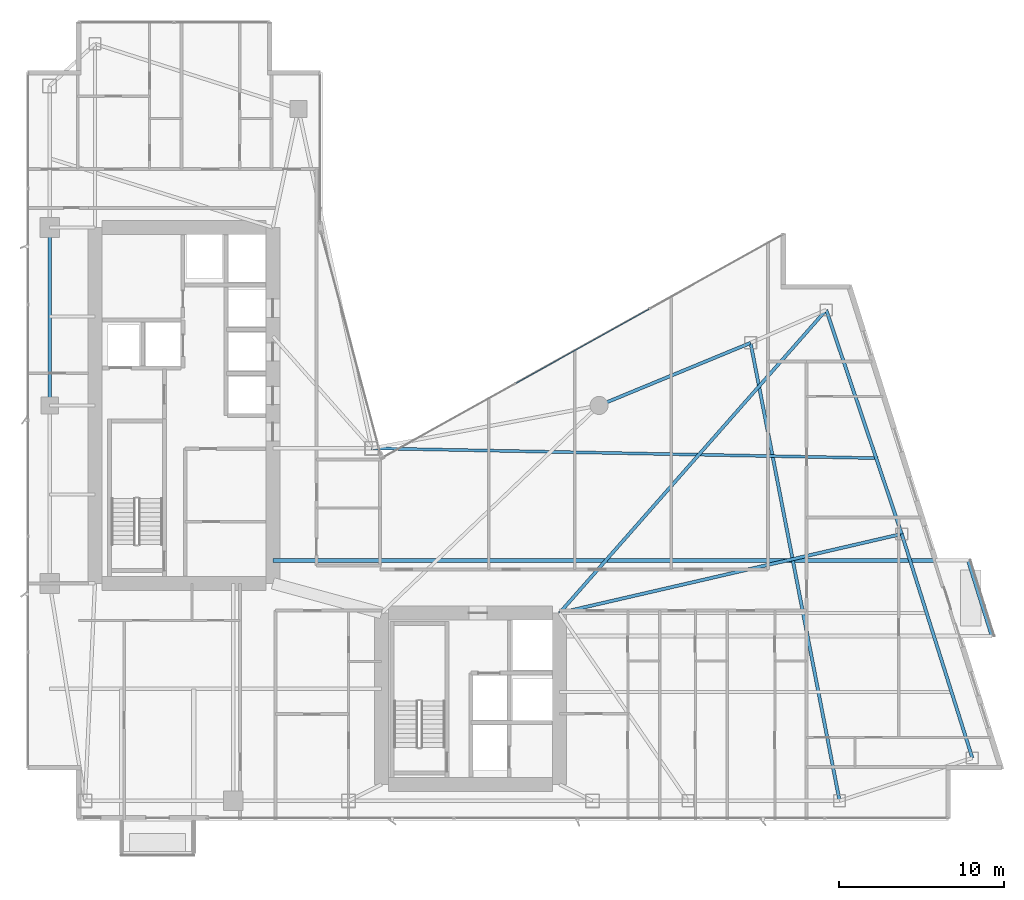
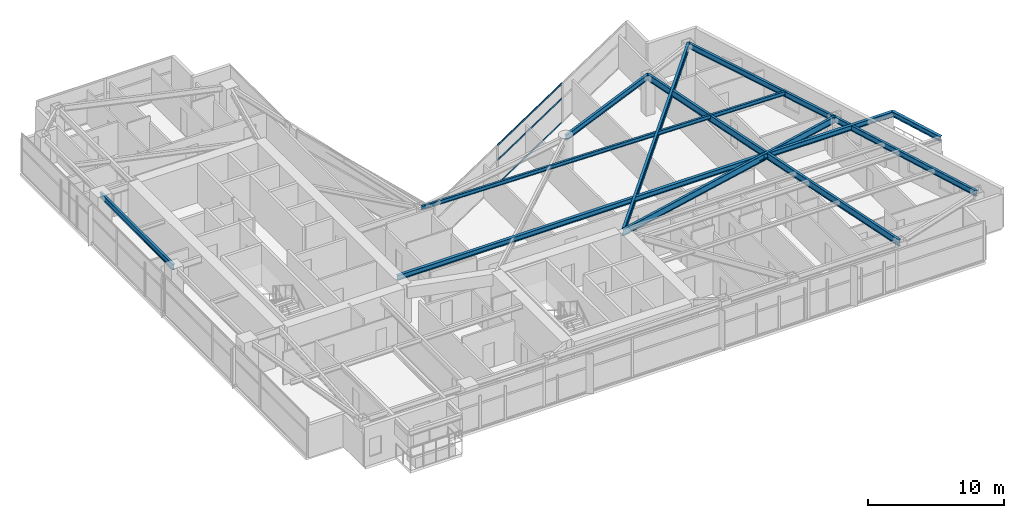
# One storey, part 15 of 29: 10 beams, 3 members, 1 element without a shape of its own.
"""IFC4 building model written with IfcOpenShell, lengths in metres."""

import ifcopenshell
import ifcopenshell.guid

model = None  # the IFC model being written
_history = None  # IfcOwnerHistory: only IFC2X3 demands one
_inside = {}  # id of a spatial element -> (the spatial element, [elements in it])
_under = {}  # id of a project, library or spatial element -> (it, [spatial elements below it])
_declared = {}  # id of a project -> (the project, [libraries it declares])
_typed = {}  # id of a type object -> (the type object, [elements of that type])
_made_of = {}  # id of a material, layer set ... -> (it, [elements and type objects made of it])


def new_model(schema):
    """Start an empty IFC model of exactly this schema.

    Asked for "IFC4X3", IfcOpenShell would pick the latest addendum, in which some entities
    have other attributes; the version numbers below select the first issue.
    IFC2X3 requires an IfcOwnerHistory on every rooted entity: one is made here for all.
    """
    global model, _history
    if schema == "IFC4X3":
        model = ifcopenshell.file(schema_version=(4, 3, 0, 0))
    else:
        model = ifcopenshell.file(schema=schema)
    _inside.clear()
    _under.clear()
    _declared.clear()
    _typed.clear()
    _made_of.clear()
    _history = None
    if model.schema == "IFC2X3":
        org = make("IfcOrganization", Name="unknown")
        user = make(
            "IfcPersonAndOrganization",
            ThePerson=make("IfcPerson", FamilyName="unknown"),
            TheOrganization=org,
        )
        app = make(
            "IfcApplication",
            ApplicationDeveloper=org,
            Version="unknown",
            ApplicationFullName="unknown",
            ApplicationIdentifier="unknown",
        )
        _history = make(
            "IfcOwnerHistory",
            OwningUser=user,
            OwningApplication=app,
            ChangeAction="ADDED",
            CreationDate=0,
        )
    return model


def make(cls, **values):
    """One entity of the class cls with the attributes given. An attribute that is None is left unset."""
    return model.create_entity(
        cls, **{name: value for name, value in values.items() if value is not None}
    )


def rooted(cls, **values):
    """An entity with a GlobalId (a new one), such as an element, a storey or a relation."""
    return make(cls, GlobalId=ifcopenshell.guid.new(), OwnerHistory=_history, **values)


def si_unit(unit_type, name, prefix=None):
    """IfcSIUnit, for example si_unit("LENGTHUNIT", "METRE", prefix="MILLI")."""
    return make("IfcSIUnit", UnitType=unit_type, Prefix=prefix, Name=name)


def assignment(units):
    """IfcUnitAssignment: the units of a project."""
    return None if units is None else make("IfcUnitAssignment", Units=units)


def point(xyz):
    """IfcCartesianPoint."""
    return None if xyz is None else make("IfcCartesianPoint", Coordinates=xyz)


def direction(xyz):
    """IfcDirection."""
    return None if xyz is None else make("IfcDirection", DirectionRatios=xyz)


def frame(location, z_axis=None, x_axis=None):
    """IfcAxis2Placement3D, a coordinate frame: its origin and axes. An axis left out is left unset."""
    return make(
        "IfcAxis2Placement3D",
        Location=point(location),
        Axis=direction(z_axis),
        RefDirection=direction(x_axis),
    )


def frame_2d(location, x_axis=None):
    """IfcAxis2Placement2D, a coordinate frame in the plane: its origin and x axis."""
    return make(
        "IfcAxis2Placement2D", Location=point(location), RefDirection=direction(x_axis)
    )


def origin():
    """The frame at (0, 0, 0) with its axes left unset."""
    return frame((0.0, 0.0, 0.0))


def origin_2d():
    """The frame at (0, 0) in the plane with its x axis left unset."""
    return frame_2d((0.0, 0.0))


def place(relative_to, where):
    """IfcLocalPlacement: puts the frame where relative to a parent placement (None: the world)."""
    return make(
        "IfcLocalPlacement", PlacementRelTo=relative_to, RelativePlacement=where
    )


def context(
    kind, dimensions, precision=None, world=None, true_north=None, identifier=None
):
    """IfcGeometricRepresentationContext, for example the 3D "Model" context."""
    return make(
        "IfcGeometricRepresentationContext",
        ContextIdentifier=identifier,
        ContextType=kind,
        CoordinateSpaceDimension=dimensions,
        Precision=precision,
        WorldCoordinateSystem=world,
        TrueNorth=true_north,
    )


def subcontext(parent, identifier, kind, view, scale=None):
    """IfcGeometricRepresentationSubContext, for example "Body" below "Model"."""
    return make(
        "IfcGeometricRepresentationSubContext",
        ContextIdentifier=identifier,
        ContextType=kind,
        ParentContext=parent,
        TargetScale=scale,
        TargetView=view,
    )


def project(units=None, contexts=None):
    """IfcProject with its units and contexts."""
    return rooted(
        "IfcProject",
        Name="project",
        RepresentationContexts=contexts,
        UnitsInContext=assignment(units),
    )


def spatial(cls, under=None, at=None, **own):
    """A site, building, storey or space (cls), placed at a placement, below another one or the project."""
    s = rooted(cls, ObjectPlacement=at, **own)
    if under is not None:
        _under.setdefault(under.id(), (under, []))[1].append(s)
    return s


def profile(cls, at=None, kind="AREA", **sizes):
    """A parametric profile (cls). Its sizes go by their IFC names, for example OverallWidth=200.0."""
    return make(cls, ProfileType=kind, Position=at, **sizes)


def hollow_rectangle(**sizes):
    """IfcRectangleHollowProfileDef."""
    return profile("IfcRectangleHollowProfileDef", **sizes)


def i_section(**sizes):
    """IfcIShapeProfileDef."""
    return profile("IfcIShapeProfileDef", **sizes)


def extrude(swept, where, along, depth):
    """IfcExtrudedAreaSolid: the profile swept, set in the frame where, extruded along a direction by depth."""
    return make(
        "IfcExtrudedAreaSolid",
        SweptArea=swept,
        Position=where,
        ExtrudedDirection=direction(along),
        Depth=depth,
    )


def shape(context_of_items, identifier, shape_type, items):
    """IfcShapeRepresentation: the items that make up one representation, for example the "Body"."""
    return make(
        "IfcShapeRepresentation",
        ContextOfItems=context_of_items,
        RepresentationIdentifier=identifier,
        RepresentationType=shape_type,
        Items=items,
    )


def material(Name=None, Category=None):
    """IfcMaterial."""
    return make("IfcMaterial", Name=Name, Category=Category)


def layer(
    of_material, thickness, ventilated=None, Name=None, Category=None, Priority=None
):
    """IfcMaterialLayer: one layer of a wall or slab, of a material (None: an air gap)."""
    return make(
        "IfcMaterialLayer",
        Material=of_material,
        LayerThickness=thickness,
        IsVentilated=ventilated,
        Name=Name,
        Category=Category,
        Priority=Priority,
    )


def layer_set(layers, Name=None):
    """IfcMaterialLayerSet."""
    return make("IfcMaterialLayerSet", MaterialLayers=layers, LayerSetName=Name)


def material_profile(
    of_material, cross_section, Name=None, Category=None, Priority=None
):
    """IfcMaterialProfile: a cross section and its material."""
    return make(
        "IfcMaterialProfile",
        Name=Name,
        Material=of_material,
        Profile=cross_section,
        Priority=Priority,
        Category=Category,
    )


def profile_set(profiles, Name=None, composite=None):
    """IfcMaterialProfileSet."""
    return make(
        "IfcMaterialProfileSet",
        Name=Name,
        MaterialProfiles=profiles,
        CompositeProfile=composite,
    )


def made_of(thing, what):
    """Note that an element or type object is made of a material, layer set ...; save() writes the relation."""
    if what is not None:
        _made_of.setdefault(what.id(), (what, []))[1].append(thing)
    return thing


def type_object(cls, material=None, **own):
    """A type object (cls), such as IfcWallType, which elements share."""
    return made_of(rooted(cls, **own), material)


def element(
    cls,
    number,
    at=None,
    inside=None,
    cuts=None,
    type_object=None,
    material=None,
    context=None,
    identifier="Body",
    shape_type=None,
    held_by="IfcProductDefinitionShape",
    body=None,
    shapes=None,
    **own,
):
    """One element of the class cls, such as IfcWall. Its Tag is "e" and its number.

    at: its placement. inside: the storey or other place that contains it. cuts: it is an
    opening in that element (IfcRelVoidsElement). A single representation is given by context,
    identifier, shape_type and body (its items); several are given by shapes. held_by: the class
    of the entity that holds the representations. save() writes the other relations.
    """
    e = rooted(cls, Tag="e%d" % number, ObjectPlacement=at, **own)
    if body is not None:
        shapes = [shape(context, identifier, shape_type, body)]
    if shapes is not None:
        e.Representation = make(held_by, Representations=shapes)
    if inside is not None:
        _inside.setdefault(inside.id(), (inside, []))[1].append(e)
    if cuts is not None:
        rooted(
            "IfcRelVoidsElement", RelatingBuildingElement=cuts, RelatedOpeningElement=e
        )
    if type_object is not None:
        _typed.setdefault(type_object.id(), (type_object, []))[1].append(e)
    return made_of(e, material)


def aggregate(whole, parts):
    """IfcRelAggregates: a whole, such as a stair, and the parts it consists of."""
    return rooted("IfcRelAggregates", RelatingObject=whole, RelatedObjects=parts)


def save(model, path):
    """Write the relations noted so far, then the file.

    IfcRelAggregates (storeys below a building ...), IfcRelContainedInSpatialStructure (elements
    in a storey), IfcRelDefinesByType, IfcRelAssociatesMaterial and IfcRelDeclares: one each for
    every whole, place, type object, material and project.
    """
    for whole, parts in _under.values():
        aggregate(whole, parts)
    for where, things in _inside.values():
        rooted(
            "IfcRelContainedInSpatialStructure",
            RelatedElements=things,
            RelatingStructure=where,
        )
    for kind, things in _typed.values():
        rooted("IfcRelDefinesByType", RelatedObjects=things, RelatingType=kind)
    for what, things in _made_of.values():
        rooted("IfcRelAssociatesMaterial", RelatedObjects=things, RelatingMaterial=what)
    for by, libraries in _declared.values():
        rooted("IfcRelDeclares", RelatingContext=by, RelatedDefinitions=libraries)
    model.write(path)


model = new_model("IFC4")

# Units and contexts
model_context = context("Model", 3, precision=1e-05, world=origin(), true_north=direction((0.0, 1.0)))
body_context = subcontext(model_context, "Body", "Model", "MODEL_VIEW")
ifc_project = project(units=[si_unit("LENGTHUNIT", "METRE"), si_unit("AREAUNIT", "SQUARE_METRE"), si_unit("VOLUMEUNIT", "CUBIC_METRE"), si_unit("PLANEANGLEUNIT", "RADIAN"), si_unit("MASSUNIT", "GRAM", prefix="KILO")], contexts=[model_context])

# Site, building, storey
site_placement = place(None, origin())
site = spatial("IfcSite", under=ifc_project, at=site_placement, CompositionType="ELEMENT")
building_placement = place(site_placement, origin())
building = spatial("IfcBuilding", under=site, at=building_placement, Name="Calvorn Quay Hotel", CompositionType="ELEMENT")
storey_placement = place(building_placement, frame((0.0, 0.0, 175.10009765625)))
storey = spatial("IfcBuildingStorey", under=building, at=storey_placement, Name="L43", CompositionType="ELEMENT", Elevation=175.10009765625)

# Beams
ifc_material_1 = material(Name="Steel Q355B", Category="steel")
ifc_material_profile_1 = material_profile(ifc_material_1, i_section(OverallWidth=0.25, OverallDepth=0.449951171875, WebThickness=0.011962890625, FlangeThickness=0.01611328125, FilletRadius=0.01611328125, at=origin_2d()), Name="HN450x250x12x16")
ifc_profile_set_1 = profile_set([ifc_material_profile_1], Name="Steel Q355B")
beam_type_1 = type_object("IfcBeamType", Name="BM-CANT-BALC", PredefinedType="BEAM", material=ifc_profile_set_1)
beam_1_placement = place(storey_placement, frame((15.0, 18.199951171875, 3.31494140625), z_axis=(1.0, 0.0, 0.0), x_axis=(0.0, 1.0, 0.0)))
element("IfcBeam", 1, at=beam_1_placement, inside=storey, type_object=beam_type_1, Name="Cantilever Balcony Beam BCB-L44-1B", PredefinedType="BEAM", context=body_context, shape_type="SweptSolid", body=[
    extrude(i_section(OverallWidth=0.25, OverallDepth=0.449951171875, WebThickness=0.011962890625, FlangeThickness=0.01611328125, FilletRadius=0.01611328125, at=origin_2d()), origin(), (0.0, 0.0, 1.0), 42.219970703125),
])
beam_2_placement = place(storey_placement, frame((58.6689453125, 13.60009765625, 3.31494140625), z_axis=(-0.300450487966, 0.953797412599, 0.0), x_axis=(-0.953797412599, -0.300450487966, 0.0)))
element("IfcBeam", 2, at=beam_2_placement, inside=storey, type_object=beam_type_1, Name="Beam BCBO-L44-1", PredefinedType="BEAM", context=body_context, shape_type="SweptSolid", body=[
    extrude(i_section(OverallWidth=0.25, OverallDepth=0.449951171875, WebThickness=0.011962890625, FlangeThickness=0.01611328125, FilletRadius=0.01611328125, at=origin_2d()), origin(), (0.0, 0.0, 1.0), 4.82275390625),
])
ifc_material_2 = material(Name="Steel Q355B", Category="steel")
ifc_material_profile_2 = material_profile(ifc_material_2, i_section(OverallWidth=0.199951171875, OverallDepth=0.60009765625, WebThickness=0.010986328125, FlangeThickness=0.01708984375, FilletRadius=0.01806640625, at=origin_2d()), Name="HN600x200x11x17")
ifc_profile_set_2 = profile_set([ifc_material_profile_2], Name="Steel Q355B")
beam_type_2 = type_object("IfcBeamType", Name="BM-GIRD-TYP", PredefinedType="BEAM", material=ifc_profile_set_2)
beam_3_placement = place(storey_placement, frame((32.39990234375, 15.0, 3.239990234375), z_axis=(0.974334045812, 0.225107012711, 0.0), x_axis=(-0.225107012711, 0.974334045812, 0.0)))
element("IfcBeam", 3, at=beam_3_placement, inside=storey, type_object=beam_type_2, Name="Beam BG-L43-E2", PredefinedType="BEAM", context=body_context, shape_type="SweptSolid", body=[
    extrude(i_section(OverallWidth=0.199951171875, OverallDepth=0.60009765625, WebThickness=0.010986328125, FlangeThickness=0.01708984375, FilletRadius=0.01806640625, at=origin_2d()), origin(), (0.0, 0.0, 1.0), 21.323486328125),
])
beam_4_placement = place(storey_placement, frame((32.39990234375, 15.0, 3.239990234375), z_axis=(0.660610604248, 0.750728732336, 0.0), x_axis=(-0.750728732336, 0.660610604248, 0.0)))
element("IfcBeam", 4, at=beam_4_placement, inside=storey, type_object=beam_type_2, Name="Beam BG-L43-E3", PredefinedType="BEAM", context=body_context, shape_type="SweptSolid", body=[
    extrude(i_section(OverallWidth=0.199951171875, OverallDepth=0.60009765625, WebThickness=0.010986328125, FlangeThickness=0.01708984375, FilletRadius=0.01806640625, at=origin_2d()), origin(), (0.0, 0.0, 1.0), 24.50927734375),
])
beam_5_placement = place(storey_placement, frame((49.39990234375, 3.60009765625, 3.239990234375), z_axis=(-0.190678596862, 0.981652521363, 0.0), x_axis=(-0.981652521363, -0.190678596862, 0.0)))
element("IfcBeam", 5, at=beam_5_placement, inside=storey, type_object=beam_type_2, Name="Beam BG-L43-E5", PredefinedType="BEAM", context=body_context, shape_type="SweptSolid", body=[
    extrude(i_section(OverallWidth=0.199951171875, OverallDepth=0.60009765625, WebThickness=0.010986328125, FlangeThickness=0.01708984375, FilletRadius=0.01806640625, at=origin_2d()), origin(), (0.0, 0.0, 1.0), 28.3193359375),
])
ifc_material_3 = material(Name="Steel Q355B", Category="steel")
ifc_material_profile_3 = material_profile(ifc_material_3, i_section(OverallWidth=0.175048828125, OverallDepth=0.35009765625, WebThickness=0.007080078125, FlangeThickness=0.010986328125, FilletRadius=0.013916015625, at=origin_2d()), Name="HN350x175x7x11")
ifc_profile_set_3 = profile_set([ifc_material_profile_3], Name="Steel Q355B")
beam_type_3 = type_object("IfcBeamType", Name="BM-JOIST-SEC", PredefinedType="JOIST", material=ifc_profile_set_3)
beam_6_placement = place(storey_placement, frame((21.0, 25.0, 3.364990234375), z_axis=(0.999809345134, -0.019526222968, 0.0), x_axis=(0.019526222968, 0.999809345134, 0.0)))
element("IfcBeam", 6, at=beam_6_placement, inside=storey, type_object=beam_type_3, Name="Beam BJ-L43-E3", PredefinedType="JOIST", context=body_context, shape_type="SweptSolid", body=[
    extrude(i_section(OverallWidth=0.175048828125, OverallDepth=0.35009765625, WebThickness=0.007080078125, FlangeThickness=0.010986328125, FilletRadius=0.013916015625, at=origin_2d()), origin(), (0.0, 0.0, 1.0), 30.73291015625),
])
ifc_material_4 = material(Name="Steel Q355B", Category="steel")
ifc_material_profile_4 = material_profile(ifc_material_4, i_section(OverallWidth=0.199951171875, OverallDepth=0.5, WebThickness=0.010009765625, FlangeThickness=0.01611328125, FilletRadius=0.01611328125, at=origin_2d()), Name="HN500x200x10x16")
ifc_profile_set_4 = profile_set([ifc_material_profile_4], Name="Steel Q355B")
beam_type_4 = type_object("IfcBeamType", Name="BM-SPANDREL-Z1", PredefinedType="SPANDREL", material=ifc_profile_set_4)
beam_7_placement = place(storey_placement, frame((1.449951171875, 27.60009765625, 3.289794921875), z_axis=(0.0, 1.0, 0.0), x_axis=(-1.0, 0.0, 0.0)))
element("IfcBeam", 7, at=beam_7_placement, inside=storey, type_object=beam_type_4, Name="Beam BSP-L43-W3", PredefinedType="SPANDREL", context=body_context, shape_type="SweptSolid", body=[
    extrude(i_section(OverallWidth=0.199951171875, OverallDepth=0.5, WebThickness=0.010009765625, FlangeThickness=0.01611328125, FilletRadius=0.01611328125, at=origin_2d()), origin(), (0.0, 0.0, 1.0), 10.7998046875),
])
beam_8_placement = place(storey_placement, frame((57.4609375, 6.199951171875, 3.289794921875), z_axis=(-0.300502802767, 0.953780931624, 0.0), x_axis=(-0.953780931624, -0.300502802767, 0.0)))
element("IfcBeam", 8, at=beam_8_placement, inside=storey, type_object=beam_type_4, Name="Beam BSP-L43-E1", PredefinedType="SPANDREL", context=body_context, shape_type="SweptSolid", body=[
    extrude(i_section(OverallWidth=0.199951171875, OverallDepth=0.5, WebThickness=0.010009765625, FlangeThickness=0.01611328125, FilletRadius=0.01611328125, at=origin_2d()), origin(), (0.0, 0.0, 1.0), 14.259033203125),
])
beam_9_placement = place(storey_placement, frame((53.176025390625, 19.800048828125, 3.289794921875), z_axis=(-0.319466515944, 0.947597564998, 0.0), x_axis=(-0.947597564998, -0.319466515944, 0.0)))
element("IfcBeam", 9, at=beam_9_placement, inside=storey, type_object=beam_type_4, Name="Beam BSP-L43-E2", PredefinedType="SPANDREL", context=body_context, shape_type="SweptSolid", body=[
    extrude(i_section(OverallWidth=0.199951171875, OverallDepth=0.5, WebThickness=0.010009765625, FlangeThickness=0.01611328125, FilletRadius=0.01611328125, at=origin_2d()), origin(), (0.0, 0.0, 1.0), 14.35205078125),
])
beam_10_placement = place(storey_placement, frame((44.0, 31.39990234375, 3.289794921875), z_axis=(-0.92426763497, -0.381745123017, 0.0), x_axis=(0.381745123017, -0.92426763497, 0.0)))
element("IfcBeam", 10, at=beam_10_placement, inside=storey, type_object=beam_type_4, Name="Beam BSP-L43-E4", PredefinedType="SPANDREL", context=body_context, shape_type="SweptSolid", body=[
    extrude(i_section(OverallWidth=0.199951171875, OverallDepth=0.5, WebThickness=0.010009765625, FlangeThickness=0.01611328125, FilletRadius=0.01611328125, at=origin_2d()), origin(), (0.0, 0.0, 1.0), 9.953857421875),
])

# Curtain wall, members
ifc_material_5 = material(Name="Pale Anodised Aluminium and Low-E Glass", Category="aluminium")
ifc_layer = layer(ifc_material_5, 0.219970703125)
ifc_layer_set = layer_set([ifc_layer], Name="CW-SYS-Z2")
curtain_wall_type = type_object("IfcCurtainWallType", Name="CW-SYS-Z2", PredefinedType="NOTDEFINED", material=ifc_layer_set)
curtain_wall_placement = place(storey_placement, origin())
curtain_wall = element("IfcCurtainWall", 11, at=curtain_wall_placement, inside=storey, type_object=curtain_wall_type, Name="Inner Court Curtain Wall L43-NE1", PredefinedType="NOTDEFINED")
ifc_material_6 = material(Name="Pale Anodised Aluminium 6063-T6", Category="aluminium")
ifc_material_profile_5 = material_profile(ifc_material_6, hollow_rectangle(XDim=0.06005859375, YDim=0.14990234375, WallThickness=0.00341796875, at=origin_2d()), Name="ALU-T150x60x3.5")
ifc_profile_set_5 = profile_set([ifc_material_profile_5], Name="Pale Anodised Aluminium 6063-T6")
member_type = type_object("IfcMemberType", Name="CW-SYS-Z2-TRN", PredefinedType="USERDEFINED", material=ifc_profile_set_5)
member_1_placement = place(storey_placement, frame((37.840576171875, 33.4521484375, 0.02978515625), z_axis=(-0.873483012802, -0.486854625474, 0.0), x_axis=(0.486854625474, -0.873483012802, 0.0)))
member_1 = element("IfcMember", 12, at=member_1_placement, type_object=member_type, Name="CW-L43-NE1 transom 2.1", ObjectType="TRANSOM", PredefinedType="USERDEFINED", context=body_context, shape_type="SweptSolid", body=[
    extrude(hollow_rectangle(XDim=0.06005859375, YDim=0.14990234375, WallThickness=0.00341796875, at=origin_2d()), origin(), (0.0, 0.0, 1.0), 9.25146484375),
])
member_2_placement = place(storey_placement, frame((37.840576171875, 33.4521484375, 2.199951171875), z_axis=(-0.873483012802, -0.486854625474, 0.0), x_axis=(0.486854625474, -0.873483012802, 0.0)))
member_2 = element("IfcMember", 13, at=member_2_placement, type_object=member_type, Name="CW-L43-NE1 transom 2.2", ObjectType="TRANSOM", PredefinedType="USERDEFINED", context=body_context, shape_type="SweptSolid", body=[
    extrude(hollow_rectangle(XDim=0.06005859375, YDim=0.14990234375, WallThickness=0.00341796875, at=origin_2d()), origin(), (0.0, 0.0, 1.0), 9.25146484375),
])
member_3_placement = place(storey_placement, frame((37.840576171875, 33.4521484375, 3.52978515625), z_axis=(-0.873483012802, -0.486854625474, 0.0), x_axis=(0.486854625474, -0.873483012802, 0.0)))
member_3 = element("IfcMember", 14, at=member_3_placement, type_object=member_type, Name="CW-L43-NE1 transom 2.3", ObjectType="TRANSOM", PredefinedType="USERDEFINED", context=body_context, shape_type="SweptSolid", body=[
    extrude(hollow_rectangle(XDim=0.06005859375, YDim=0.14990234375, WallThickness=0.00341796875, at=origin_2d()), origin(), (0.0, 0.0, 1.0), 9.25146484375),
])
aggregate(curtain_wall, [member_1, member_2, member_3])

save(model, "model.ifc")
